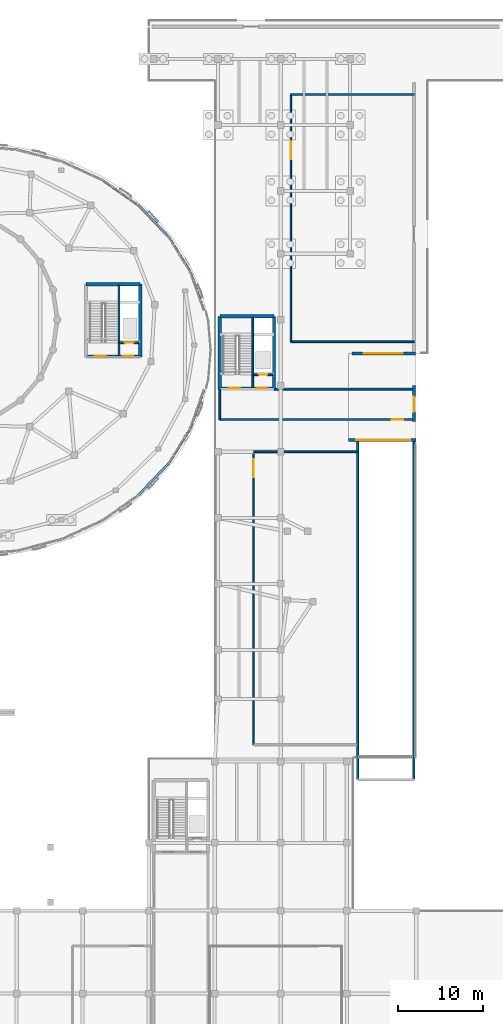
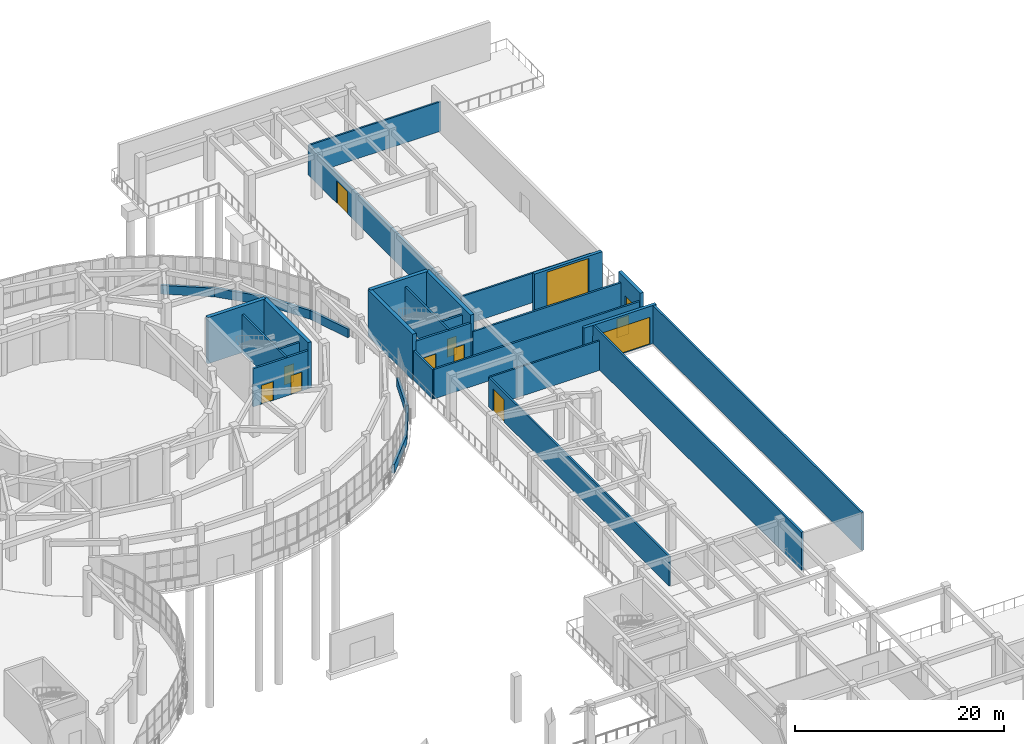
# One storey, part 78 of 96: 31 walls, 12 doors, 12 openings.
"""IFC4 building model written with IfcOpenShell, lengths in metres."""

from ifc_helpers import new_model, si_unit, direction, frame, frame_2d, origin, place, context, subcontext, project, spatial, rectangle, extrude, material, layer, layer_set, type_object, element, fill, save


model = new_model("IFC4")

# Units and contexts
model_context = context("Model", 3, precision=1e-05, world=origin(), true_north=direction((0.0, 1.0)))
body_context = subcontext(model_context, "Body", "Model", "MODEL_VIEW")
ifc_project = project(units=[si_unit("LENGTHUNIT", "METRE"), si_unit("AREAUNIT", "SQUARE_METRE"), si_unit("VOLUMEUNIT", "CUBIC_METRE"), si_unit("PLANEANGLEUNIT", "RADIAN"), si_unit("MASSUNIT", "GRAM", prefix="KILO")], contexts=[model_context])

# Site, building, storey
site_placement = place(None, origin())
site = spatial("IfcSite", under=ifc_project, at=site_placement, CompositionType="ELEMENT")
building_placement = place(site_placement, origin())
building = spatial("IfcBuilding", under=site, at=building_placement, Name="Pelvatis Terrace Science Centre", CompositionType="ELEMENT")
storey_placement = place(building_placement, origin())
storey = spatial("IfcBuildingStorey", under=building, at=storey_placement, Name="L00", CompositionType="ELEMENT", Elevation=0.0)

# Wall, opening, door
ifc_material_1 = material(Name="Polished black Uruguayan granite masonry", Category="masonry")
ifc_layer_1 = layer(ifc_material_1, 0.364990234375)
ifc_layer_set_1 = layer_set([ifc_layer_1], Name="Polished black Uruguayan granite masonry")
wall_type_1 = type_object("IfcWallType", Name="WL-EXT-GRAN-365", PredefinedType="SOLIDWALL", material=ifc_layer_set_1)
wall_1_placement = place(storey_placement, frame((163.949951171875, 78.0, 0.0), z_axis=(0.0, 0.0, 1.0), x_axis=(0.0, -1.0, 0.0)))
wall_1 = element("IfcWall", 1, at=wall_1_placement, inside=storey, type_object=wall_type_1, Name="L00 exterior wall EW-L00-E2", PredefinedType="SOLIDWALL", context=body_context, shape_type="SweptSolid", body=[
    extrude(rectangle(XDim=4.199951171875, YDim=0.364990234375, at=frame_2d((2.10009765625, 0.0))), origin(), (0.0, 0.0, 1.0), 4.4599609375),
])
opening_1_placement = place(wall_1_placement, frame((1.300048828125, 0.0, 0.0)))
opening_1 = element("IfcOpeningElement", 2, at=opening_1_placement, cuts=wall_1, Name="Opening D-013", PredefinedType="OPENING", context=body_context, shape_type="SweptSolid", body=[
    extrude(rectangle(XDim=1.800048828125, YDim=2.39990234375, at=frame_2d((0.89990234375, 1.199951171875))), frame((0.0, 0.1923828125, 0.0), z_axis=(0.0, -1.0, 0.0), x_axis=(1.0, 0.0, 0.0)), (0.0, 0.0, 1.0), 0.385009765625),
])
ifc_material_2 = material(Name="Bronze-framed glazed double exit door", Category="glass")
door_type_1 = type_object("IfcDoorType", Name="DR-EXT-1800x2400", OperationType="NOTDEFINED", PredefinedType="DOOR", material=ifc_material_2)
door_1_placement = place(opening_1_placement, origin())
door_1 = element("IfcDoor", 3, at=door_1_placement, inside=storey, type_object=door_type_1, Name="Core C3 protected exit discharge door D-013", OperationType="DOUBLE_DOOR_SINGLE_SWING", OverallHeight=2.39990234375, OverallWidth=1.800048828125, PredefinedType="DOOR", context=body_context, shape_type="SweptSolid", body=[
    extrude(rectangle(XDim=1.800048828125, YDim=2.39990234375, at=frame_2d((0.89990234375, 1.199951171875))), frame((0.0, 0.02490234375, 0.0), z_axis=(0.0, -1.0, 0.0), x_axis=(1.0, 0.0, 0.0)), (0.0, 0.0, 1.0), 0.050048828125),
])
fill(opening_1, door_1)

ifc_material_3 = material(Name="Precast concrete C35/45 architectural stone", Category="masonry")
ifc_layer_2 = layer(ifc_material_3, 0.340087890625)
ifc_layer_set_2 = layer_set([ifc_layer_2], Name="Precast concrete C35/45 architectural stone")
wall_type_2 = type_object("IfcWallType", Name="WL-EXT-PREC-340", PredefinedType="SOLIDWALL", material=ifc_layer_set_2)
wall_2_placement = place(storey_placement, frame((156.199951171875, 71.60009765625, 0.0), z_axis=(0.0, 0.0, 1.0), x_axis=(1.0, 0.0, 0.0)))
wall_2 = element("IfcWall", 4, at=wall_2_placement, inside=storey, type_object=wall_type_2, Name="L00 exterior wall EW-L00-RMPGATE", PredefinedType="SOLIDWALL", context=body_context, shape_type="SweptSolid", body=[
    extrude(rectangle(XDim=8.0, YDim=0.340087890625, at=frame_2d((4.0, 0.0))), origin(), (0.0, 0.0, 1.0), 4.4599609375),
])
opening_2_placement = place(wall_2_placement, frame((0.89990234375, 0.0, 0.0)))
opening_2 = element("IfcOpeningElement", 5, at=opening_2_placement, cuts=wall_2, Name="Opening D-V01", PredefinedType="OPENING", context=body_context, shape_type="SweptSolid", body=[
    extrude(rectangle(XDim=6.39990234375, YDim=3.199951171875, at=frame_2d((3.199951171875, 1.60009765625))), frame((0.0, 0.179931640625, 0.0), z_axis=(0.0, -1.0, 0.0), x_axis=(1.0, 0.0, 0.0)), (0.0, 0.0, 1.0), 0.360107421875),
])
ifc_material_4 = material(Name="Motorised perforated aluminium vehicle roller gate", Category="aluminium")
door_type_2 = type_object("IfcDoorType", Name="GT-VEH-6400x3200", OperationType="NOTDEFINED", PredefinedType="GATE", material=ifc_material_4)
door_2_placement = place(opening_2_placement, origin())
door_2 = element("IfcDoor", 6, at=door_2_placement, inside=storey, type_object=door_type_2, Name="Basement car park vehicle ramp roller shutter gate D-V01", OperationType="ROLLINGUP", OverallHeight=3.199951171875, OverallWidth=6.39990234375, PredefinedType="GATE", context=body_context, shape_type="SweptSolid", body=[
    extrude(rectangle(XDim=6.39990234375, YDim=3.199951171875, at=frame_2d((3.199951171875, 1.60009765625))), frame((0.0, 0.02490234375, 0.0), z_axis=(0.0, -1.0, 0.0), x_axis=(1.0, 0.0, 0.0)), (0.0, 0.0, 1.0), 0.050048828125),
])
fill(opening_2, door_2)

wall_3_placement = place(storey_placement, frame((156.60009765625, 81.800048828125, 0.0), z_axis=(0.0, 0.0, 1.0), x_axis=(1.0, 0.0, 0.0)))
wall_3 = element("IfcWall", 7, at=wall_3_placement, inside=storey, type_object=wall_type_2, Name="L00 exterior wall EW-L00-DCKGATE", PredefinedType="SOLIDWALL", context=body_context, shape_type="SweptSolid", body=[
    extrude(rectangle(XDim=7.5, YDim=0.340087890625, at=frame_2d((3.75, 0.0))), origin(), (0.0, 0.0, 1.0), 4.4599609375),
])
opening_3_placement = place(wall_3_placement, frame((1.39990234375, 0.0, 0.0)))
opening_3 = element("IfcOpeningElement", 8, at=opening_3_placement, cuts=wall_3, Name="Opening D-V02", PredefinedType="OPENING", context=body_context, shape_type="SweptSolid", body=[
    extrude(rectangle(XDim=4.60009765625, YDim=4.199951171875, at=frame_2d((2.300048828125, 2.10009765625))), frame((0.0, 0.179931640625, 0.0), z_axis=(0.0, -1.0, 0.0), x_axis=(1.0, 0.0, 0.0)), (0.0, 0.0, 1.0), 0.360107421875),
])
ifc_material_5 = material(Name="Insulated steel heavy loading dock roller shutter", Category="steel")
door_type_3 = type_object("IfcDoorType", Name="GT-DCK-4600x4200", OperationType="NOTDEFINED", PredefinedType="GATE", material=ifc_material_5)
door_3_placement = place(opening_3_placement, origin())
door_3 = element("IfcDoor", 9, at=door_3_placement, inside=storey, type_object=door_type_3, Name="Exhibit staging loading bay roller shutter D-V02", OperationType="ROLLINGUP", OverallHeight=4.199951171875, OverallWidth=4.60009765625, PredefinedType="GATE", context=body_context, shape_type="SweptSolid", body=[
    extrude(rectangle(XDim=4.60009765625, YDim=4.199951171875, at=frame_2d((2.300048828125, 2.10009765625))), frame((0.0, 0.02490234375, 0.0), z_axis=(0.0, -1.0, 0.0), x_axis=(1.0, 0.0, 0.0)), (0.0, 0.0, 1.0), 0.050048828125),
])
fill(opening_3, door_3)

# Walls
ifc_material_6 = material(Name="White architectural precast concrete C40/50 spandrel", Category="concrete")
ifc_layer_3 = layer(ifc_material_6, 0.27490234375)
ifc_layer_set_3 = layer_set([ifc_layer_3], Name="White architectural precast concrete C40/50 spandrel")
wall_type_3 = type_object("IfcWallType", Name="WL-EXT-SPND-275", PredefinedType="SOLIDWALL", material=ifc_layer_set_3)
wall_4_placement = place(storey_placement, frame((139.111083984375, 86.911376953125, 0.0), z_axis=(0.0, 0.0, 1.0), x_axis=(-0.332298985331, 0.943174100762, 0.0)))
element("IfcWall", 10, at=wall_4_placement, inside=storey, type_object=wall_type_3, Name="V1 white spiral spandrel band 02 (L00)", PredefinedType="SOLIDWALL", context=body_context, shape_type="SweptSolid", body=[
    extrude(rectangle(XDim=4.803466796875, YDim=0.27490234375, at=frame_2d((2.40185546875, 0.0))), origin(), (0.0, 0.0, 1.0), 1.02001953125),
])
wall_5_placement = place(storey_placement, frame((137.514892578125, 91.44189453125, 0.0), z_axis=(0.0, 0.0, 1.0), x_axis=(-0.527491466741, 0.849560328944, 0.0)))
element("IfcWall", 11, at=wall_5_placement, inside=storey, type_object=wall_type_3, Name="V1 white spiral spandrel band 03 (L00)", PredefinedType="SOLIDWALL", context=body_context, shape_type="SweptSolid", body=[
    extrude(rectangle(XDim=4.914306640625, YDim=0.27490234375, at=frame_2d((2.45703125, 0.0))), origin(), (0.0, 0.0, 1.0), 1.02001953125),
])
wall_6_placement = place(storey_placement, frame((134.922607421875, 95.616943359375, 0.0), z_axis=(0.0, 0.0, 1.0), x_axis=(-0.689954149813, 0.723853072907, 0.0)))
element("IfcWall", 12, at=wall_6_placement, inside=storey, type_object=wall_type_3, Name="V1 white spiral spandrel band 04 (L00)", PredefinedType="SOLIDWALL", context=body_context, shape_type="SweptSolid", body=[
    extrude(rectangle(XDim=5.055908203125, YDim=0.27490234375, at=frame_2d((2.52783203125, 0.0))), origin(), (0.0, 0.0, 1.0), 1.02001953125),
])
wall_7_placement = place(storey_placement, frame((131.434326171875, 99.276611328125, 0.0), z_axis=(0.0, 0.0, 1.0), x_axis=(-0.81670518365, 0.577055147278, 0.0)))
element("IfcWall", 13, at=wall_7_placement, inside=storey, type_object=wall_type_3, Name="V1 white spiral spandrel band 05 (L00)", PredefinedType="SOLIDWALL", context=body_context, shape_type="SweptSolid", body=[
    extrude(rectangle(XDim=5.204833984375, YDim=0.27490234375, at=frame_2d((2.6025390625, 0.0))), origin(), (0.0, 0.0, 1.0), 1.02001953125),
])
wall_8_placement = place(storey_placement, frame((131.434326171875, 65.123291015625, 0.0), z_axis=(0.0, 0.0, 1.0), x_axis=(0.689954149813, 0.723853072907, 0.0)))
element("IfcWall", 14, at=wall_8_placement, inside=storey, type_object=wall_type_3, Name="V1 white spiral spandrel band 29 (L00)", PredefinedType="SOLIDWALL", context=body_context, shape_type="SweptSolid", body=[
    extrude(rectangle(XDim=5.055908203125, YDim=0.27490234375, at=frame_2d((2.52783203125, 0.0))), origin(), (0.0, 0.0, 1.0), 1.02001953125),
])
wall_9_placement = place(storey_placement, frame((134.922607421875, 68.782958984375, 0.0), z_axis=(0.0, 0.0, 1.0), x_axis=(0.527469204566, 0.84957415111, 0.0)))
element("IfcWall", 15, at=wall_9_placement, inside=storey, type_object=wall_type_3, Name="V1 white spiral spandrel band 30 (L00)", PredefinedType="SOLIDWALL", context=body_context, shape_type="SweptSolid", body=[
    extrude(rectangle(XDim=4.91455078125, YDim=0.27490234375, at=frame_2d((2.457275390625, 0.0))), origin(), (0.0, 0.0, 1.0), 1.02001953125),
])
wall_10_placement = place(storey_placement, frame((137.514892578125, 72.958251953125, 0.0), z_axis=(0.0, 0.0, 1.0), x_axis=(0.332314915651, 0.943168488042, 0.0)))
element("IfcWall", 16, at=wall_10_placement, inside=storey, type_object=wall_type_3, Name="V1 white spiral spandrel band 31 (L00)", PredefinedType="SOLIDWALL", context=body_context, shape_type="SweptSolid", body=[
    extrude(rectangle(XDim=4.80322265625, YDim=0.27490234375, at=frame_2d((2.401611328125, 0.0))), origin(), (0.0, 0.0, 1.0), 1.02001953125),
])
ifc_material_7 = material(Name="Masonry laboratory fire wall", Category="masonry")
ifc_layer_4 = layer(ifc_material_7, 0.18994140625)
ifc_layer_set_4 = layer_set([ifc_layer_4], Name="Masonry laboratory fire wall")
wall_type_4 = type_object("IfcWallType", Name="WL-INT-COMP-190", PredefinedType="PARTITIONING", material=ifc_layer_set_4)
wall_11_placement = place(storey_placement, frame((157.14990234375, 70.199951171875, 0.0), z_axis=(0.0, 0.0, 1.0), x_axis=(-1.0, 0.0, 0.0)))
element("IfcWall", 17, at=wall_11_placement, inside=storey, type_object=wall_type_4, Name="Exhibit Uncrating, Acclimatisation and Staging Room partition wall N", PredefinedType="PARTITIONING", context=body_context, shape_type="SweptSolid", body=[
    extrude(rectangle(XDim=12.14990234375, YDim=0.18994140625, at=frame_2d((6.074951171875, 0.0))), origin(), (0.0, 0.0, 1.0), 3.449951171875),
])

# Wall, opening, door
wall_12_placement = place(storey_placement, frame((145.0, 70.199951171875, 0.0), z_axis=(0.0, 0.0, 1.0), x_axis=(0.0, -1.0, 0.0)))
wall_12 = element("IfcWall", 18, at=wall_12_placement, inside=storey, type_object=wall_type_4, Name="Exhibit Uncrating, Acclimatisation and Staging Room partition wall W", PredefinedType="PARTITIONING", context=body_context, shape_type="SweptSolid", body=[
    extrude(rectangle(XDim=34.599853515625, YDim=0.18994140625, at=frame_2d((17.2998046875, 0.0))), origin(), (0.0, 0.0, 1.0), 3.449951171875),
])
opening_4_placement = place(wall_12_placement, frame((0.90087890625, 0.0, 0.0)))
opening_4 = element("IfcOpeningElement", 19, at=opening_4_placement, cuts=wall_12, Name="Opening D-185", PredefinedType="OPENING", context=body_context, shape_type="SweptSolid", body=[
    extrude(rectangle(XDim=2.10009765625, YDim=2.60009765625, at=frame_2d((1.050048828125, 1.300048828125))), frame((0.0, 0.10498046875, 0.0), z_axis=(0.0, -1.0, 0.0), x_axis=(1.0, 0.0, 0.0)), (0.0, 0.0, 1.0), 0.2099609375),
])
ifc_material_8 = material(Name="Steel workshop crating double fire door", Category="steel")
door_type_4 = type_object("IfcDoorType", Name="DR-WORK-2100x2600", OperationType="NOTDEFINED", PredefinedType="DOOR", material=ifc_material_8)
door_4_placement = place(opening_4_placement, origin())
door_4 = element("IfcDoor", 20, at=door_4_placement, inside=storey, type_object=door_type_4, Name="Exhibit Uncrating, Acclimatisation and Staging Room entrance door", OperationType="DOUBLE_DOOR_SINGLE_SWING", OverallHeight=2.60009765625, OverallWidth=2.10009765625, PredefinedType="DOOR", context=body_context, shape_type="SweptSolid", body=[
    extrude(rectangle(XDim=2.10009765625, YDim=2.60009765625, at=frame_2d((1.050048828125, 1.300048828125))), frame((0.0, 0.02490234375, 0.0), z_axis=(0.0, -1.0, 0.0), x_axis=(1.0, 0.0, 0.0)), (0.0, 0.0, 1.0), 0.050048828125),
])
fill(opening_4, door_4)

# Walls
for number, where, z_axis, x_axis, name in (
    (21, (149.39990234375, 83.199951171875, 0.0), (0.0, 0.0, 1.0), (1.0, 0.0, 0.0), "East Colonnade Junior Earth Science Workshop partition wall S"),
    (22, (163.949951171875, 112.39990234375, 0.0), (0.0, 0.0, 1.0), (-1.0, 0.0, 0.0), "East Colonnade Junior Earth Science Workshop partition wall N"),
):
    element("IfcWall", number, at=place(storey_placement, frame(where, z_axis=z_axis, x_axis=x_axis)), inside=storey, type_object=wall_type_4, Name=name, PredefinedType="PARTITIONING", context=body_context, shape_type="SweptSolid", body=[
        extrude(rectangle(XDim=14.550048828125, YDim=0.18994140625, at=frame_2d((7.27490234375, 0.0))), origin(), (0.0, 0.0, 1.0), 3.449951171875),
    ])

# Wall, opening, door
wall_13_placement = place(storey_placement, frame((149.39990234375, 112.39990234375, 0.0), z_axis=(0.0, 0.0, 1.0), x_axis=(0.0, -1.0, 0.0)))
wall_13 = element("IfcWall", 23, at=wall_13_placement, inside=storey, type_object=wall_type_4, Name="East Colonnade Junior Earth Science Workshop partition wall W", PredefinedType="PARTITIONING", context=body_context, shape_type="SweptSolid", body=[
    extrude(rectangle(XDim=29.199951171875, YDim=0.18994140625, at=frame_2d((14.60009765625, 0.0))), origin(), (0.0, 0.0, 1.0), 3.449951171875),
])
opening_5_placement = place(wall_13_placement, frame((5.51904296875, 0.0, 0.0)))
opening_5 = element("IfcOpeningElement", 24, at=opening_5_placement, cuts=wall_13, Name="Opening D-186", PredefinedType="OPENING", context=body_context, shape_type="SweptSolid", body=[
    extrude(rectangle(XDim=2.10009765625, YDim=2.60009765625, at=frame_2d((1.050048828125, 1.300048828125))), frame((0.0, 0.10498046875, 0.0), z_axis=(0.0, -1.0, 0.0), x_axis=(1.0, 0.0, 0.0)), (0.0, 0.0, 1.0), 0.2099609375),
])
door_5_placement = place(opening_5_placement, origin())
door_5 = element("IfcDoor", 25, at=door_5_placement, inside=storey, type_object=door_type_4, Name="East Colonnade Junior Earth Science Workshop entrance door", OperationType="DOUBLE_DOOR_SINGLE_SWING", OverallHeight=2.60009765625, OverallWidth=2.10009765625, PredefinedType="DOOR", context=body_context, shape_type="SweptSolid", body=[
    extrude(rectangle(XDim=2.10009765625, YDim=2.60009765625, at=frame_2d((1.050048828125, 1.300048828125))), frame((0.0, 0.02490234375, 0.0), z_axis=(0.0, -1.0, 0.0), x_axis=(1.0, 0.0, 0.0)), (0.0, 0.0, 1.0), 0.050048828125),
])
fill(opening_5, door_5)

# Walls
ifc_material_9 = material(Name="Concrete C35/45 shaft dividing wall", Category="concrete")
ifc_layer_5 = layer(ifc_material_9, 0.2099609375)
ifc_layer_set_5 = layer_set([ifc_layer_5], Name="Concrete C35/45 shaft dividing wall")
wall_type_5 = type_object("IfcWallType", Name="WL-INT-CORE-210", PredefinedType="PARTITIONING", material=ifc_layer_set_5)
for number, where, z_axis, x_axis, name in (
    (26, (129.10009765625, 81.550048828125, 0.0), (0.0, 0.0, 1.0), (0.0, 1.0, 0.0), "Core C2 stair-lift shaft fire wall (L00)"),
    (27, (144.89990234375, 77.75, 0.0), (0.0, 0.0, 1.0), (0.0, 1.0, 0.0), "Core C3 stair-lift shaft fire wall (L00)"),
):
    element("IfcWall", number, at=place(storey_placement, frame(where, z_axis=z_axis, x_axis=x_axis)), inside=storey, type_object=wall_type_5, Name=name, PredefinedType="PARTITIONING", context=body_context, shape_type="SweptSolid", body=[
        extrude(rectangle(XDim=8.300048828125, YDim=0.2099609375, at=frame_2d((4.14990234375, 0.0))), origin(), (0.0, 0.0, 1.0), 4.4599609375),
    ])

# Wall, opening, door
wall_14_placement = place(storey_placement, frame((163.949951171875, 74.0, 0.0), z_axis=(0.0, 0.0, 1.0), x_axis=(-1.0, 0.0, 0.0)))
wall_14 = element("IfcWall", 28, at=wall_14_placement, inside=storey, type_object=wall_type_5, Name="Core C3 Protected Exit Discharge Lobby partition wall S", PredefinedType="PARTITIONING", context=body_context, shape_type="SweptSolid", body=[
    extrude(rectangle(XDim=22.949951171875, YDim=0.2099609375, at=frame_2d((11.47509765625, 0.0))), origin(), (0.0, 0.0, 1.0), 3.449951171875),
])
opening_6_placement = place(wall_14_placement, frame((1.30810546875, 0.0, 0.0)))
opening_6 = element("IfcOpeningElement", 29, at=opening_6_placement, cuts=wall_14, Name="Opening D-183", PredefinedType="OPENING", context=body_context, shape_type="SweptSolid", body=[
    extrude(rectangle(XDim=1.35009765625, YDim=2.199951171875, at=frame_2d((0.675048828125, 1.10009765625))), frame((0.0, 0.114990234375, 0.0), z_axis=(0.0, -1.0, 0.0), x_axis=(1.0, 0.0, 0.0)), (0.0, 0.0, 1.0), 0.22998046875),
])
ifc_material_10 = material(Name="Steel fire-rated protected stair door", Category="steel")
door_type_5 = type_object("IfcDoorType", Name="DR-STAIR-1350x2200", OperationType="NOTDEFINED", PredefinedType="DOOR", material=ifc_material_10)
door_6_placement = place(opening_6_placement, origin())
door_6 = element("IfcDoor", 30, at=door_6_placement, inside=storey, type_object=door_type_5, Name="Core C3 Protected Exit Discharge Lobby entrance door", OperationType="SINGLE_SWING_RIGHT", OverallHeight=2.199951171875, OverallWidth=1.35009765625, PredefinedType="DOOR", context=body_context, shape_type="SweptSolid", body=[
    extrude(rectangle(XDim=1.35009765625, YDim=2.199951171875, at=frame_2d((0.675048828125, 1.10009765625))), frame((0.0, 0.02490234375, 0.0), z_axis=(0.0, -1.0, 0.0), x_axis=(1.0, 0.0, 0.0)), (0.0, 0.0, 1.0), 0.050048828125),
])
fill(opening_6, door_6)

# Walls
wall_15_placement = place(storey_placement, frame((141.0, 77.60009765625, 0.0), z_axis=(0.0, 0.0, 1.0), x_axis=(0.0, -1.0, 0.0)))
element("IfcWall", 31, at=wall_15_placement, inside=storey, type_object=wall_type_5, Name="Core C3 Protected Exit Discharge Lobby partition wall W", PredefinedType="PARTITIONING", context=body_context, shape_type="SweptSolid", body=[
    extrude(rectangle(XDim=3.60009765625, YDim=0.2099609375, at=frame_2d((1.800048828125, 0.0))), origin(), (0.0, 0.0, 1.0), 3.449951171875),
])
wall_16_placement = place(storey_placement, frame((147.39990234375, 77.60009765625, 0.0), z_axis=(0.0, 0.0, 1.0), x_axis=(1.0, 0.0, 0.0)))
element("IfcWall", 32, at=wall_16_placement, inside=storey, type_object=wall_type_5, Name="Core C3 protected exit corridor north fire wall", PredefinedType="PARTITIONING", context=body_context, shape_type="SweptSolid", body=[
    extrude(rectangle(XDim=16.550048828125, YDim=0.2099609375, at=frame_2d((8.27490234375, 0.0))), origin(), (0.0, 0.0, 1.0), 3.449951171875),
])

# Wall, opening, door
ifc_material_11 = material(Name="Concrete C35/45 stair enclosure wall", Category="concrete")
ifc_layer_6 = layer(ifc_material_11, 0.22509765625)
ifc_layer_set_6 = layer_set([ifc_layer_6], Name="Concrete C35/45 stair enclosure wall")
wall_type_6 = type_object("IfcWallType", Name="WL-INT-CORE-225", PredefinedType="PARTITIONING", material=ifc_layer_set_6)
wall_17_placement = place(storey_placement, frame((129.14990234375, 83.10009765625, 0.0), z_axis=(0.0, 0.0, 1.0), x_axis=(1.0, 0.0, 0.0)))
wall_17 = element("IfcWall", 33, at=wall_17_placement, inside=storey, type_object=wall_type_6, Name="Core C2 lift shaft landing wall (L00)", PredefinedType="PARTITIONING", context=body_context, shape_type="SweptSolid", body=[
    extrude(rectangle(XDim=2.300048828125, YDim=0.22509765625, at=frame_2d((1.14990234375, 0.0))), origin(), (0.0, 0.0, 1.0), 4.4599609375),
])
opening_7_placement = place(wall_17_placement, frame((0.60009765625, 0.0, 0.0)))
opening_7 = element("IfcOpeningElement", 34, at=opening_7_placement, cuts=wall_17, Name="Opening LD-C2-2", PredefinedType="OPENING", context=body_context, shape_type="SweptSolid", body=[
    extrude(rectangle(XDim=1.10009765625, YDim=2.14990234375, at=frame_2d((0.550048828125, 1.074951171875))), frame((0.0, 0.12255859375, 0.0), z_axis=(0.0, -1.0, 0.0), x_axis=(1.0, 0.0, 0.0)), (0.0, 0.0, 1.0), 0.2451171875),
])
ifc_material_12 = material(Name="Stainless steel sliding fire-fighting lift landing door", Category="steel")
door_type_6 = type_object("IfcDoorType", Name="DR-LIFT-1100x2150", OperationType="NOTDEFINED", PredefinedType="DOOR", material=ifc_material_12)
door_7_placement = place(opening_7_placement, origin())
door_7 = element("IfcDoor", 35, at=door_7_placement, inside=storey, type_object=door_type_6, Name="Lift LF-02 sliding landing door (L00)", OperationType="SLIDING_TO_RIGHT", OverallHeight=2.14990234375, OverallWidth=1.10009765625, PredefinedType="DOOR", context=body_context, shape_type="SweptSolid", body=[
    extrude(rectangle(XDim=1.10009765625, YDim=2.14990234375, at=frame_2d((0.550048828125, 1.074951171875))), frame((0.0, 0.02490234375, 0.0), z_axis=(0.0, -1.0, 0.0), x_axis=(1.0, 0.0, 0.0)), (0.0, 0.0, 1.0), 0.050048828125),
])
fill(opening_7, door_7)

wall_18_placement = place(storey_placement, frame((144.949951171875, 79.300048828125, 0.0), z_axis=(0.0, 0.0, 1.0), x_axis=(1.0, 0.0, 0.0)))
wall_18 = element("IfcWall", 36, at=wall_18_placement, inside=storey, type_object=wall_type_6, Name="Core C3 lift shaft landing wall (L00)", PredefinedType="PARTITIONING", context=body_context, shape_type="SweptSolid", body=[
    extrude(rectangle(XDim=2.300048828125, YDim=0.22509765625, at=frame_2d((1.14990234375, 0.0))), origin(), (0.0, 0.0, 1.0), 4.4599609375),
])
opening_8_placement = place(wall_18_placement, frame((0.64990234375, 0.0, 0.0)))
opening_8 = element("IfcOpeningElement", 37, at=opening_8_placement, cuts=wall_18, Name="Opening LD-C3-2", PredefinedType="OPENING", context=body_context, shape_type="SweptSolid", body=[
    extrude(rectangle(XDim=1.0, YDim=2.14990234375, at=frame_2d((0.5, 1.074951171875))), frame((0.0, 0.12255859375, 0.0), z_axis=(0.0, -1.0, 0.0), x_axis=(1.0, 0.0, 0.0)), (0.0, 0.0, 1.0), 0.2451171875),
])
ifc_material_13 = material(Name="Bronze-clad sliding passenger lift landing door", Category="steel")
door_type_7 = type_object("IfcDoorType", Name="DR-LIFT-1000x2150", OperationType="NOTDEFINED", PredefinedType="DOOR", material=ifc_material_13)
door_8_placement = place(opening_8_placement, origin())
door_8 = element("IfcDoor", 38, at=door_8_placement, inside=storey, type_object=door_type_7, Name="Lift LF-05 sliding landing door (L00)", OperationType="SLIDING_TO_RIGHT", OverallHeight=2.14990234375, OverallWidth=1.0, PredefinedType="DOOR", context=body_context, shape_type="SweptSolid", body=[
    extrude(rectangle(XDim=1.0, YDim=2.14990234375, at=frame_2d((0.5, 1.074951171875))), frame((0.0, 0.02490234375, 0.0), z_axis=(0.0, -1.0, 0.0), x_axis=(1.0, 0.0, 0.0)), (0.0, 0.0, 1.0), 0.050048828125),
])
fill(opening_8, door_8)

# Walls
for number, where, z_axis, x_axis, name in (
    (39, (157.280029296875, 31.5, 0.0), (0.0, 0.0, 1.0), (0.0, 1.0, 0.0), "Vehicle ramp shaft enclosure wall W"),
    (40, (163.919921875, 31.5, 0.0), (0.0, 0.0, 1.0), (0.0, 1.0, 0.0), "Vehicle ramp shaft enclosure wall E"),
):
    element("IfcWall", number, at=place(storey_placement, frame(where, z_axis=z_axis, x_axis=x_axis)), inside=storey, type_object=wall_type_6, Name=name, PredefinedType="PARTITIONING", context=body_context, shape_type="SweptSolid", body=[
        extrude(rectangle(XDim=40.0, YDim=0.22509765625, at=frame_2d((20.0, 0.0))), origin(), (0.0, 0.0, 1.0), 4.4599609375),
    ])

# Wall, openings, doors
ifc_material_14 = material(Name="Concrete C35/45 shaft enclosure wall", Category="concrete")
ifc_layer_7 = layer(ifc_material_14, 0.239990234375)
ifc_layer_set_7 = layer_set([ifc_layer_7], Name="Concrete C35/45 shaft enclosure wall")
wall_type_7 = type_object("IfcWallType", Name="WL-INT-CORE-240", PredefinedType="PARTITIONING", material=ifc_layer_set_7)
wall_19_placement = place(storey_placement, frame((125.35009765625, 81.52001953125, 0.0), z_axis=(0.0, 0.0, 1.0), x_axis=(1.0, 0.0, 0.0)))
wall_19 = element("IfcWall", 41, at=wall_19_placement, inside=storey, type_object=wall_type_7, Name="Core C2 fire-rated lobby wall (L00)", PredefinedType="PARTITIONING", context=body_context, shape_type="SweptSolid", body=[
    extrude(rectangle(XDim=6.099853515625, YDim=0.239990234375, at=frame_2d((3.0498046875, 0.0))), origin(), (0.0, 0.0, 1.0), 4.4599609375),
])
opening_9_placement = place(wall_19_placement, frame((0.89990234375, 0.0, 0.0)))
opening_9 = element("IfcOpeningElement", 42, at=opening_9_placement, cuts=wall_19, Name="Opening D-117", PredefinedType="OPENING", context=body_context, shape_type="SweptSolid", body=[
    extrude(rectangle(XDim=1.35009765625, YDim=2.199951171875, at=frame_2d((0.675048828125, 1.10009765625))), frame((0.0, 0.1298828125, 0.0), z_axis=(0.0, -1.0, 0.0), x_axis=(1.0, 0.0, 0.0)), (0.0, 0.0, 1.0), 0.260009765625),
])
opening_10_placement = place(wall_19_placement, frame((4.199951171875, 0.0, 0.0)))
opening_10 = element("IfcOpeningElement", 43, at=opening_10_placement, cuts=wall_19, Name="Opening D-118", PredefinedType="OPENING", context=body_context, shape_type="SweptSolid", body=[
    extrude(rectangle(XDim=1.199951171875, YDim=2.199951171875, at=frame_2d((0.60009765625, 1.10009765625))), frame((0.0, 0.1298828125, 0.0), z_axis=(0.0, -1.0, 0.0), x_axis=(1.0, 0.0, 0.0)), (0.0, 0.0, 1.0), 0.260009765625),
])
ifc_material_15 = material(Name="Steel fire-rated exit stair door", Category="steel")
door_type_8 = type_object("IfcDoorType", Name="DR-STAIR-1200x2200", OperationType="NOTDEFINED", PredefinedType="DOOR", material=ifc_material_15)
door_9_placement = place(opening_10_placement, origin())
door_9 = element("IfcDoor", 44, at=door_9_placement, inside=storey, type_object=door_type_8, Name="Core C2 lift lobby fire door (L00)", OperationType="SINGLE_SWING_LEFT", OverallHeight=2.199951171875, OverallWidth=1.199951171875, PredefinedType="DOOR", context=body_context, shape_type="SweptSolid", body=[
    extrude(rectangle(XDim=1.199951171875, YDim=2.199951171875, at=frame_2d((0.60009765625, 1.10009765625))), frame((0.0, 0.02490234375, 0.0), z_axis=(0.0, -1.0, 0.0), x_axis=(1.0, 0.0, 0.0)), (0.0, 0.0, 1.0), 0.050048828125),
])
fill(opening_10, door_9)
door_10_placement = place(opening_9_placement, origin())
door_10 = element("IfcDoor", 45, at=door_10_placement, inside=storey, type_object=door_type_5, Name="Core C2 protected stair fire door (L00)", OperationType="SINGLE_SWING_RIGHT", OverallHeight=2.199951171875, OverallWidth=1.35009765625, PredefinedType="DOOR", context=body_context, shape_type="SweptSolid", body=[
    extrude(rectangle(XDim=1.35009765625, YDim=2.199951171875, at=frame_2d((0.675048828125, 1.10009765625))), frame((0.0, 0.02490234375, 0.0), z_axis=(0.0, -1.0, 0.0), x_axis=(1.0, 0.0, 0.0)), (0.0, 0.0, 1.0), 0.050048828125),
])
fill(opening_9, door_10)

wall_20_placement = place(storey_placement, frame((141.14990234375, 77.719970703125, 0.0), z_axis=(0.0, 0.0, 1.0), x_axis=(1.0, 0.0, 0.0)))
wall_20 = element("IfcWall", 46, at=wall_20_placement, inside=storey, type_object=wall_type_7, Name="Core C3 fire-rated lobby wall (L00)", PredefinedType="PARTITIONING", context=body_context, shape_type="SweptSolid", body=[
    extrude(rectangle(XDim=6.10009765625, YDim=0.239990234375, at=frame_2d((3.050048828125, 0.0))), origin(), (0.0, 0.0, 1.0), 4.4599609375),
])
opening_11_placement = place(wall_20_placement, frame((0.89990234375, 0.0, 0.0)))
opening_11 = element("IfcOpeningElement", 47, at=opening_11_placement, cuts=wall_20, Name="Opening D-131", PredefinedType="OPENING", context=body_context, shape_type="SweptSolid", body=[
    extrude(rectangle(XDim=1.35009765625, YDim=2.199951171875, at=frame_2d((0.675048828125, 1.10009765625))), frame((0.0, 0.1298828125, 0.0), z_axis=(0.0, -1.0, 0.0), x_axis=(1.0, 0.0, 0.0)), (0.0, 0.0, 1.0), 0.260009765625),
])
opening_12_placement = place(wall_20_placement, frame((4.199951171875, 0.0, 0.0)))
opening_12 = element("IfcOpeningElement", 48, at=opening_12_placement, cuts=wall_20, Name="Opening D-132", PredefinedType="OPENING", context=body_context, shape_type="SweptSolid", body=[
    extrude(rectangle(XDim=1.199951171875, YDim=2.199951171875, at=frame_2d((0.60009765625, 1.10009765625))), frame((0.0, 0.1298828125, 0.0), z_axis=(0.0, -1.0, 0.0), x_axis=(1.0, 0.0, 0.0)), (0.0, 0.0, 1.0), 0.260009765625),
])
door_11_placement = place(opening_12_placement, origin())
door_11 = element("IfcDoor", 49, at=door_11_placement, inside=storey, type_object=door_type_8, Name="Core C3 lift lobby fire door (L00)", OperationType="SINGLE_SWING_LEFT", OverallHeight=2.199951171875, OverallWidth=1.199951171875, PredefinedType="DOOR", context=body_context, shape_type="SweptSolid", body=[
    extrude(rectangle(XDim=1.199951171875, YDim=2.199951171875, at=frame_2d((0.60009765625, 1.10009765625))), frame((0.0, 0.02490234375, 0.0), z_axis=(0.0, -1.0, 0.0), x_axis=(1.0, 0.0, 0.0)), (0.0, 0.0, 1.0), 0.050048828125),
])
fill(opening_12, door_11)
door_12_placement = place(opening_11_placement, origin())
door_12 = element("IfcDoor", 50, at=door_12_placement, inside=storey, type_object=door_type_5, Name="Core C3 protected stair fire door (L00)", OperationType="SINGLE_SWING_RIGHT", OverallHeight=2.199951171875, OverallWidth=1.35009765625, PredefinedType="DOOR", context=body_context, shape_type="SweptSolid", body=[
    extrude(rectangle(XDim=1.35009765625, YDim=2.199951171875, at=frame_2d((0.675048828125, 1.10009765625))), frame((0.0, 0.02490234375, 0.0), z_axis=(0.0, -1.0, 0.0), x_axis=(1.0, 0.0, 0.0)), (0.0, 0.0, 1.0), 0.050048828125),
])
fill(opening_11, door_12)

# Walls
ifc_material_16 = material(Name="Concrete C40/50", Category="concrete")
ifc_layer_8 = layer(ifc_material_16, 0.39990234375)
ifc_layer_set_8 = layer_set([ifc_layer_8], Name="Concrete C40/50")
wall_type_8 = type_object("IfcWallType", Name="WL-SHR-400", PredefinedType="SHEAR", material=ifc_layer_set_8)
wall_21_placement = place(storey_placement, frame((125.199951171875, 90.0, 0.0), z_axis=(0.0, 0.0, 1.0), x_axis=(1.0, 0.0, 0.0)))
element("IfcWall", 51, at=wall_21_placement, inside=storey, type_object=wall_type_8, Name="Core C2 shear wall N (L00)", PredefinedType="SHEAR", context=body_context, shape_type="SweptSolid", body=[
    extrude(rectangle(XDim=6.400146484375, YDim=0.39990234375, at=frame_2d((3.2001953125, 0.0))), origin(), (0.0, 0.0, 1.0), 5.39990234375),
])
wall_22_placement = place(storey_placement, frame((131.60009765625, 81.39990234375, 0.0), z_axis=(0.0, 0.0, 1.0), x_axis=(0.0, 1.0, 0.0)))
element("IfcWall", 52, at=wall_22_placement, inside=storey, type_object=wall_type_8, Name="Core C2 shear wall E (L00)", PredefinedType="SHEAR", context=body_context, shape_type="SweptSolid", body=[
    extrude(rectangle(XDim=8.60009765625, YDim=0.39990234375, at=frame_2d((4.300048828125, 0.0))), origin(), (0.0, 0.0, 1.0), 5.39990234375),
])
wall_23_placement = place(storey_placement, frame((141.0, 86.199951171875, 0.0), z_axis=(0.0, 0.0, 1.0), x_axis=(1.0, 0.0, 0.0)))
element("IfcWall", 53, at=wall_23_placement, inside=storey, type_object=wall_type_8, Name="Core C3 shear wall N (L00)", PredefinedType="SHEAR", context=body_context, shape_type="SweptSolid", body=[
    extrude(rectangle(XDim=6.39990234375, YDim=0.39990234375, at=frame_2d((3.199951171875, 0.0))), origin(), (0.0, 0.0, 1.0), 5.39990234375),
])
for number, where, z_axis, x_axis, name in (
    (54, (141.0, 77.60009765625, 0.0), (0.0, 0.0, 1.0), (0.0, 1.0, 0.0), "Core C3 shear wall W (L00)"),
    (55, (147.39990234375, 77.60009765625, 0.0), (0.0, 0.0, 1.0), (0.0, 1.0, 0.0), "Core C3 shear wall E (L00)"),
):
    element("IfcWall", number, at=place(storey_placement, frame(where, z_axis=z_axis, x_axis=x_axis)), inside=storey, type_object=wall_type_8, Name=name, PredefinedType="SHEAR", context=body_context, shape_type="SweptSolid", body=[
        extrude(rectangle(XDim=8.599853515625, YDim=0.39990234375, at=frame_2d((4.2998046875, 0.0))), origin(), (0.0, 0.0, 1.0), 5.39990234375),
    ])

save(model, "model.ifc")
